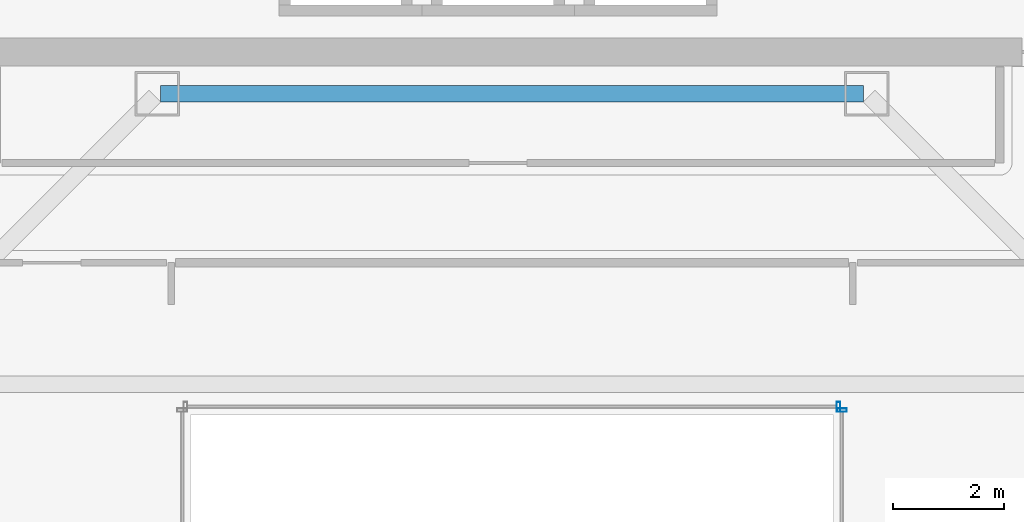
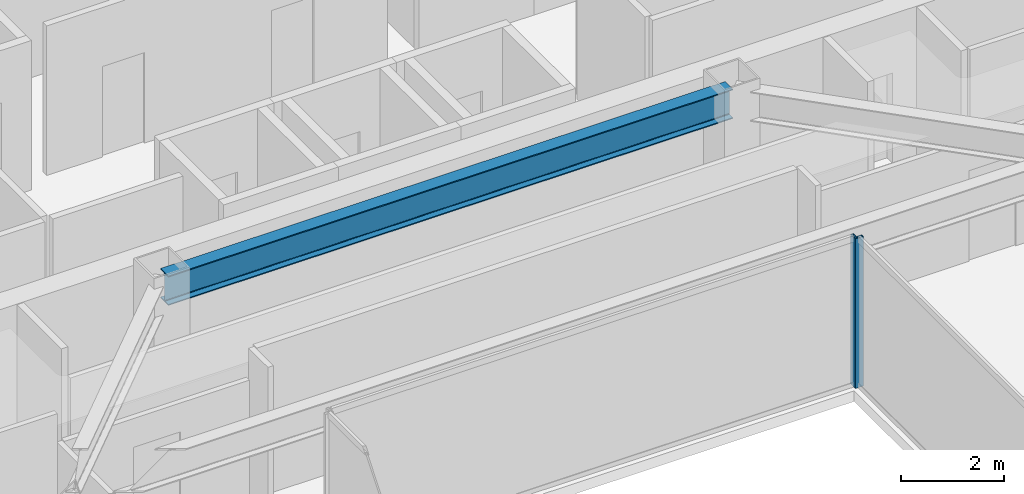
# One storey, part 15 of 36: 2 members, 1 beam, 2 elements without a shape of their own.
"""IFC4 building model written with IfcOpenShell, lengths in metres."""

from ifc_helpers import new_model, si_unit, direction, frame, origin, origin_2d, place, context, subcontext, project, spatial, hollow_rectangle, i_section, extrude, material, material_profile, profile_set, type_object, element, aggregate, save


model = new_model("IFC4")

# Units and contexts
model_context = context("Model", 3, precision=1e-05, world=origin(), true_north=direction((0.0, 1.0)))
body_context = subcontext(model_context, "Body", "Model", "MODEL_VIEW")
ifc_project = project(units=[si_unit("LENGTHUNIT", "METRE"), si_unit("AREAUNIT", "SQUARE_METRE"), si_unit("VOLUMEUNIT", "CUBIC_METRE"), si_unit("PLANEANGLEUNIT", "RADIAN"), si_unit("MASSUNIT", "GRAM", prefix="KILO")], contexts=[model_context])

# Site, building, storey
site_placement = place(None, origin())
site = spatial("IfcSite", under=ifc_project, at=site_placement, CompositionType="ELEMENT")
building_placement = place(site_placement, origin())
building = spatial("IfcBuilding", under=site, at=building_placement, Name="Saevonmaru Cultural Tower", CompositionType="ELEMENT")
storey_placement = place(building_placement, frame((0.0, 0.0, 198.0)))
storey = spatial("IfcBuildingStorey", under=building, at=storey_placement, Name="L45", CompositionType="ELEMENT", Elevation=198.0)

# Beam
ifc_material_1 = material(Name="Steel SM355", Category="steel")
ifc_material_profile_1 = material_profile(ifc_material_1, i_section(OverallWidth=0.300048828125, OverallDepth=0.699951171875, WebThickness=0.012939453125, FlangeThickness=0.02392578125, FilletRadius=0.02587890625, at=origin_2d()), Name="H-700x300x13x24")
ifc_profile_set_1 = profile_set([ifc_material_profile_1], Name="Steel SM355")
beam_type = type_object("IfcBeamType", Name="BM-G-H700", PredefinedType="BEAM", material=ifc_profile_set_1)
beam_placement = place(storey_placement, frame((23.659912109375, 42.39990234375, 3.199951171875), z_axis=(1.0, 0.0, 0.0), x_axis=(0.0, 1.0, 0.0)))
element("IfcBeam", 1, at=beam_placement, inside=storey, type_object=beam_type, Name="L45 Core South Girder 3", PredefinedType="BEAM", context=body_context, shape_type="SweptSolid", body=[
    extrude(i_section(OverallWidth=0.300048828125, OverallDepth=0.699951171875, WebThickness=0.012939453125, FlangeThickness=0.02392578125, FilletRadius=0.02587890625, at=origin_2d()), origin(), (0.0, 0.0, 1.0), 12.68017578125),
])

# Curtain wall, member
ifc_material_2 = material(Name="Satin Bronze Anodised Aluminium", Category="aluminium")
curtain_wall_type = type_object("IfcCurtainWallType", Name="CW-ATR-GLZ", PredefinedType="NOTDEFINED", material=ifc_material_2)
curtain_wall_1_placement = place(storey_placement, origin())
curtain_wall_1 = element("IfcCurtainWall", 2, at=curtain_wall_1_placement, inside=storey, type_object=curtain_wall_type, Name="L45 Vertical Atrium Glazed Smoke Screen 2", PredefinedType="NOTDEFINED")
ifc_material_profile_2 = material_profile(ifc_material_2, hollow_rectangle(XDim=0.06494140625, YDim=0.179931640625, WallThickness=0.00390625, at=origin_2d()), Name="ALU-MULL-180x65x4")
ifc_profile_set_2 = profile_set([ifc_material_profile_2], Name="Satin Bronze Anodised Aluminium")
member_type = type_object("IfcMemberType", Name="ML-CW-INT-180x65", PredefinedType="MULLION", material=ifc_profile_set_2)
member_1_placement = place(storey_placement, frame((35.949951171875, 36.68994140625, 0.0), z_axis=(0.0, 0.0, 1.0), x_axis=(0.0, 1.0, 0.0)))
member_1 = element("IfcMember", 3, at=member_1_placement, type_object=member_type, Name="CW-ATR-L45-2 mullion 2", PredefinedType="MULLION", context=body_context, shape_type="SweptSolid", body=[
    extrude(hollow_rectangle(XDim=0.06494140625, YDim=0.179931640625, WallThickness=0.00390625, at=origin_2d()), origin(), (0.0, 0.0, 1.0), 3.550048828125),
])
aggregate(curtain_wall_1, [member_1])

curtain_wall_2_placement = place(storey_placement, origin())
curtain_wall_2 = element("IfcCurtainWall", 4, at=curtain_wall_2_placement, inside=storey, type_object=curtain_wall_type, Name="L45 Vertical Atrium Glazed Smoke Screen 3", PredefinedType="NOTDEFINED")
member_2_placement = place(storey_placement, frame((35.889892578125, 36.75, 0.0), z_axis=(0.0, 0.0, 1.0), x_axis=(-1.0, 0.0, 0.0)))
member_2 = element("IfcMember", 5, at=member_2_placement, type_object=member_type, Name="CW-ATR-L45-3 mullion 1", PredefinedType="MULLION", context=body_context, shape_type="SweptSolid", body=[
    extrude(hollow_rectangle(XDim=0.06494140625, YDim=0.179931640625, WallThickness=0.00390625, at=origin_2d()), origin(), (0.0, 0.0, 1.0), 3.550048828125),
])
aggregate(curtain_wall_2, [member_2])

save(model, "model.ifc")
